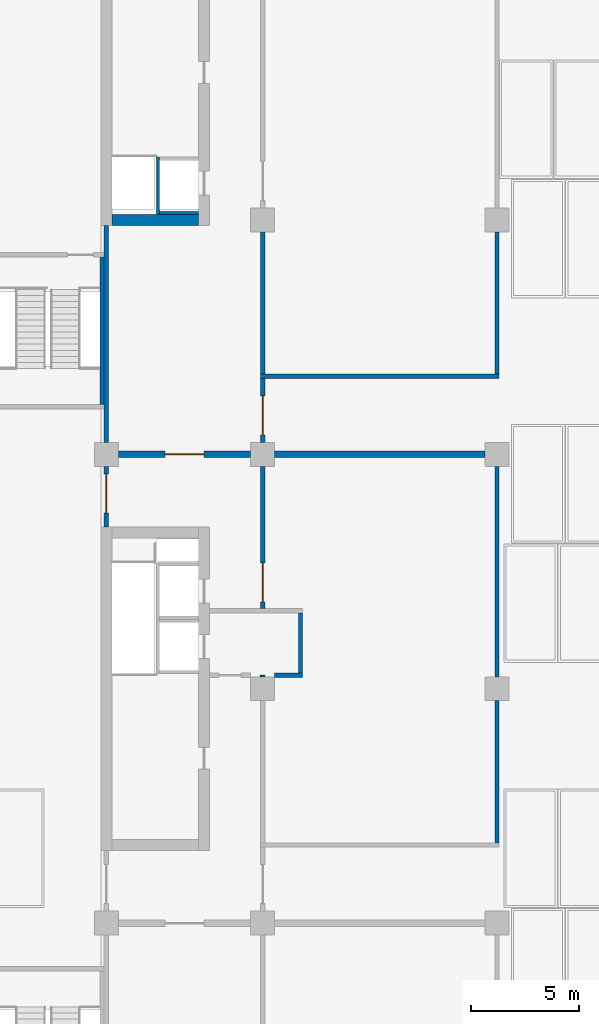
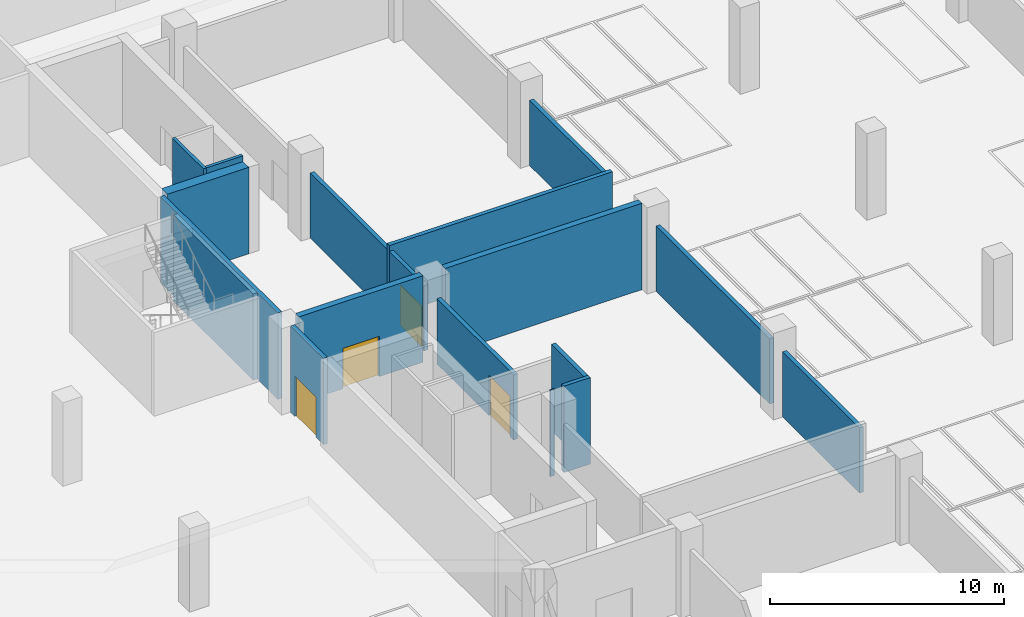
# One storey, part 4 of 18: 18 walls, 4 doors, 4 openings.
"""IFC4 building model written with IfcOpenShell, lengths in metres."""

import ifcopenshell
import ifcopenshell.guid

model = None  # the IFC model being written
_history = None  # IfcOwnerHistory: only IFC2X3 demands one
_inside = {}  # id of a spatial element -> (the spatial element, [elements in it])
_under = {}  # id of a project, library or spatial element -> (it, [spatial elements below it])
_declared = {}  # id of a project -> (the project, [libraries it declares])
_typed = {}  # id of a type object -> (the type object, [elements of that type])
_made_of = {}  # id of a material, layer set ... -> (it, [elements and type objects made of it])


def new_model(schema):
    """Start an empty IFC model of exactly this schema.

    Asked for "IFC4X3", IfcOpenShell would pick the latest addendum, in which some entities
    have other attributes; the version numbers below select the first issue.
    IFC2X3 requires an IfcOwnerHistory on every rooted entity: one is made here for all.
    """
    global model, _history
    if schema == "IFC4X3":
        model = ifcopenshell.file(schema_version=(4, 3, 0, 0))
    else:
        model = ifcopenshell.file(schema=schema)
    _inside.clear()
    _under.clear()
    _declared.clear()
    _typed.clear()
    _made_of.clear()
    _history = None
    if model.schema == "IFC2X3":
        org = make("IfcOrganization", Name="unknown")
        user = make(
            "IfcPersonAndOrganization",
            ThePerson=make("IfcPerson", FamilyName="unknown"),
            TheOrganization=org,
        )
        app = make(
            "IfcApplication",
            ApplicationDeveloper=org,
            Version="unknown",
            ApplicationFullName="unknown",
            ApplicationIdentifier="unknown",
        )
        _history = make(
            "IfcOwnerHistory",
            OwningUser=user,
            OwningApplication=app,
            ChangeAction="ADDED",
            CreationDate=0,
        )
    return model


def make(cls, **values):
    """One entity of the class cls with the attributes given. An attribute that is None is left unset."""
    return model.create_entity(
        cls, **{name: value for name, value in values.items() if value is not None}
    )


def rooted(cls, **values):
    """An entity with a GlobalId (a new one), such as an element, a storey or a relation."""
    return make(cls, GlobalId=ifcopenshell.guid.new(), OwnerHistory=_history, **values)


def si_unit(unit_type, name, prefix=None):
    """IfcSIUnit, for example si_unit("LENGTHUNIT", "METRE", prefix="MILLI")."""
    return make("IfcSIUnit", UnitType=unit_type, Prefix=prefix, Name=name)


def assignment(units):
    """IfcUnitAssignment: the units of a project."""
    return None if units is None else make("IfcUnitAssignment", Units=units)


def point(xyz):
    """IfcCartesianPoint."""
    return None if xyz is None else make("IfcCartesianPoint", Coordinates=xyz)


def direction(xyz):
    """IfcDirection."""
    return None if xyz is None else make("IfcDirection", DirectionRatios=xyz)


def frame(location, z_axis=None, x_axis=None):
    """IfcAxis2Placement3D, a coordinate frame: its origin and axes. An axis left out is left unset."""
    return make(
        "IfcAxis2Placement3D",
        Location=point(location),
        Axis=direction(z_axis),
        RefDirection=direction(x_axis),
    )


def frame_2d(location, x_axis=None):
    """IfcAxis2Placement2D, a coordinate frame in the plane: its origin and x axis."""
    return make(
        "IfcAxis2Placement2D", Location=point(location), RefDirection=direction(x_axis)
    )


def origin():
    """The frame at (0, 0, 0) with its axes left unset."""
    return frame((0.0, 0.0, 0.0))


def place(relative_to, where):
    """IfcLocalPlacement: puts the frame where relative to a parent placement (None: the world)."""
    return make(
        "IfcLocalPlacement", PlacementRelTo=relative_to, RelativePlacement=where
    )


def context(
    kind, dimensions, precision=None, world=None, true_north=None, identifier=None
):
    """IfcGeometricRepresentationContext, for example the 3D "Model" context."""
    return make(
        "IfcGeometricRepresentationContext",
        ContextIdentifier=identifier,
        ContextType=kind,
        CoordinateSpaceDimension=dimensions,
        Precision=precision,
        WorldCoordinateSystem=world,
        TrueNorth=true_north,
    )


def subcontext(parent, identifier, kind, view, scale=None):
    """IfcGeometricRepresentationSubContext, for example "Body" below "Model"."""
    return make(
        "IfcGeometricRepresentationSubContext",
        ContextIdentifier=identifier,
        ContextType=kind,
        ParentContext=parent,
        TargetScale=scale,
        TargetView=view,
    )


def project(units=None, contexts=None):
    """IfcProject with its units and contexts."""
    return rooted(
        "IfcProject",
        Name="project",
        RepresentationContexts=contexts,
        UnitsInContext=assignment(units),
    )


def spatial(cls, under=None, at=None, **own):
    """A site, building, storey or space (cls), placed at a placement, below another one or the project."""
    s = rooted(cls, ObjectPlacement=at, **own)
    if under is not None:
        _under.setdefault(under.id(), (under, []))[1].append(s)
    return s


def profile(cls, at=None, kind="AREA", **sizes):
    """A parametric profile (cls). Its sizes go by their IFC names, for example OverallWidth=200.0."""
    return make(cls, ProfileType=kind, Position=at, **sizes)


def rectangle(**sizes):
    """IfcRectangleProfileDef."""
    return profile("IfcRectangleProfileDef", **sizes)


def extrude(swept, where, along, depth):
    """IfcExtrudedAreaSolid: the profile swept, set in the frame where, extruded along a direction by depth."""
    return make(
        "IfcExtrudedAreaSolid",
        SweptArea=swept,
        Position=where,
        ExtrudedDirection=direction(along),
        Depth=depth,
    )


def shape(context_of_items, identifier, shape_type, items):
    """IfcShapeRepresentation: the items that make up one representation, for example the "Body"."""
    return make(
        "IfcShapeRepresentation",
        ContextOfItems=context_of_items,
        RepresentationIdentifier=identifier,
        RepresentationType=shape_type,
        Items=items,
    )


def material(Name=None, Category=None):
    """IfcMaterial."""
    return make("IfcMaterial", Name=Name, Category=Category)


def layer(
    of_material, thickness, ventilated=None, Name=None, Category=None, Priority=None
):
    """IfcMaterialLayer: one layer of a wall or slab, of a material (None: an air gap)."""
    return make(
        "IfcMaterialLayer",
        Material=of_material,
        LayerThickness=thickness,
        IsVentilated=ventilated,
        Name=Name,
        Category=Category,
        Priority=Priority,
    )


def layer_set(layers, Name=None):
    """IfcMaterialLayerSet."""
    return make("IfcMaterialLayerSet", MaterialLayers=layers, LayerSetName=Name)


def made_of(thing, what):
    """Note that an element or type object is made of a material, layer set ...; save() writes the relation."""
    if what is not None:
        _made_of.setdefault(what.id(), (what, []))[1].append(thing)
    return thing


def type_object(cls, material=None, **own):
    """A type object (cls), such as IfcWallType, which elements share."""
    return made_of(rooted(cls, **own), material)


def element(
    cls,
    number,
    at=None,
    inside=None,
    cuts=None,
    type_object=None,
    material=None,
    context=None,
    identifier="Body",
    shape_type=None,
    held_by="IfcProductDefinitionShape",
    body=None,
    shapes=None,
    **own,
):
    """One element of the class cls, such as IfcWall. Its Tag is "e" and its number.

    at: its placement. inside: the storey or other place that contains it. cuts: it is an
    opening in that element (IfcRelVoidsElement). A single representation is given by context,
    identifier, shape_type and body (its items); several are given by shapes. held_by: the class
    of the entity that holds the representations. save() writes the other relations.
    """
    e = rooted(cls, Tag="e%d" % number, ObjectPlacement=at, **own)
    if body is not None:
        shapes = [shape(context, identifier, shape_type, body)]
    if shapes is not None:
        e.Representation = make(held_by, Representations=shapes)
    if inside is not None:
        _inside.setdefault(inside.id(), (inside, []))[1].append(e)
    if cuts is not None:
        rooted(
            "IfcRelVoidsElement", RelatingBuildingElement=cuts, RelatedOpeningElement=e
        )
    if type_object is not None:
        _typed.setdefault(type_object.id(), (type_object, []))[1].append(e)
    return made_of(e, material)


def fill(opening, filler):
    """IfcRelFillsElement: the door or window that sits in an opening."""
    return rooted(
        "IfcRelFillsElement",
        RelatingOpeningElement=opening,
        RelatedBuildingElement=filler,
    )


def aggregate(whole, parts):
    """IfcRelAggregates: a whole, such as a stair, and the parts it consists of."""
    return rooted("IfcRelAggregates", RelatingObject=whole, RelatedObjects=parts)


def save(model, path):
    """Write the relations noted so far, then the file.

    IfcRelAggregates (storeys below a building ...), IfcRelContainedInSpatialStructure (elements
    in a storey), IfcRelDefinesByType, IfcRelAssociatesMaterial and IfcRelDeclares: one each for
    every whole, place, type object, material and project.
    """
    for whole, parts in _under.values():
        aggregate(whole, parts)
    for where, things in _inside.values():
        rooted(
            "IfcRelContainedInSpatialStructure",
            RelatedElements=things,
            RelatingStructure=where,
        )
    for kind, things in _typed.values():
        rooted("IfcRelDefinesByType", RelatedObjects=things, RelatingType=kind)
    for what, things in _made_of.values():
        rooted("IfcRelAssociatesMaterial", RelatedObjects=things, RelatingMaterial=what)
    for by, libraries in _declared.values():
        rooted("IfcRelDeclares", RelatingContext=by, RelatedDefinitions=libraries)
    model.write(path)


model = new_model("IFC4")

# Units and contexts
model_context = context("Model", 3, precision=1e-05, world=origin(), true_north=direction((0.0, 1.0)))
body_context = subcontext(model_context, "Body", "Model", "MODEL_VIEW")
ifc_project = project(units=[si_unit("LENGTHUNIT", "METRE"), si_unit("AREAUNIT", "SQUARE_METRE"), si_unit("VOLUMEUNIT", "CUBIC_METRE"), si_unit("PLANEANGLEUNIT", "RADIAN"), si_unit("MASSUNIT", "GRAM", prefix="KILO")], contexts=[model_context])

# Site, building, storey
site_placement = place(None, origin())
site = spatial("IfcSite", under=ifc_project, at=site_placement, CompositionType="ELEMENT")
building_placement = place(site_placement, origin())
building = spatial("IfcBuilding", under=site, at=building_placement, Name="Basin Gate Institute", CompositionType="ELEMENT")
storey_placement = place(building_placement, frame((0.0, 0.0, -4.800048828125)))
storey = spatial("IfcBuildingStorey", under=building, at=storey_placement, Name="B1", CompositionType="ELEMENT", Elevation=-4.800048828125)

# Wall, opening, door
ifc_material_1 = material(Name="Concrete 50 MPa", Category="concrete")
ifc_layer_1 = layer(ifc_material_1, 0.199951171875)
ifc_layer_set_1 = layer_set([ifc_layer_1], Name="Concrete 50 MPa")
wall_type_1 = type_object("IfcWallType", Name="Basement bearing wall W66 REI 180", PredefinedType="SOLIDWALL", material=ifc_layer_set_1)
wall_1_placement = place(storey_placement, frame((61.199951171875, 74.949951171875, 0.0), z_axis=(0.0, 0.0, 1.0), x_axis=(0.0, 1.0, 0.0)))
wall_1 = element("IfcWall", 1, at=wall_1_placement, inside=storey, type_object=wall_type_1, material=ifc_layer_set_1, Name="Service Corridor B1 West bearing wall", PredefinedType="SOLIDWALL", context=body_context, shape_type="SweptSolid", body=[
    extrude(rectangle(XDim=2.800048828125, YDim=0.199951171875, at=frame_2d((1.39990234375, 0.0))), origin(), (0.0, 0.0, 1.0), 4.5),
])
opening_1_placement = place(wall_1_placement, frame((0.64990234375, 0.0, 0.0)))
opening_1 = element("IfcOpeningElement", 2, at=opening_1_placement, cuts=wall_1, Name="Opening DB111", PredefinedType="OPENING", context=body_context, shape_type="SweptSolid", body=[
    extrude(rectangle(XDim=1.800048828125, YDim=2.10009765625, at=frame_2d((0.89990234375, 1.050048828125))), frame((0.0, 0.10986328125, 0.0), z_axis=(0.0, -1.0, 0.0), x_axis=(1.0, 0.0, 0.0)), (0.0, 0.0, 1.0), 0.219970703125),
])
ifc_material_2 = material(Name="Steel door set", Category="steel")
door_type_1 = type_object("IfcDoorType", Name="Double fire door FD120 1800x2100", OperationType="DOUBLE_DOOR_SINGLE_SWING", PredefinedType="DOOR", material=ifc_material_2)
door_1_placement = place(opening_1_placement, origin())
door_1 = element("IfcDoor", 3, at=door_1_placement, inside=storey, type_object=door_type_1, material=ifc_material_2, Name="Door DB111 Service Corridor B1 West", OperationType="DOUBLE_DOOR_SINGLE_SWING", OverallHeight=2.10009765625, OverallWidth=1.800048828125, PredefinedType="DOOR", context=body_context, shape_type="SweptSolid", body=[
    extrude(rectangle(XDim=1.800048828125, YDim=2.10009765625, at=frame_2d((0.89990234375, 1.050048828125))), frame((0.0, 0.02490234375, 0.0), z_axis=(0.0, -1.0, 0.0), x_axis=(1.0, 0.0, 0.0)), (0.0, 0.0, 1.0), 0.050048828125),
])
fill(opening_1, door_1)

# Walls
wall_2_placement = place(storey_placement, frame((61.199951171875, 78.85009765625, 0.0), z_axis=(0.0, 0.0, 1.0), x_axis=(0.0, 1.0, 0.0)))
element("IfcWall", 4, at=wall_2_placement, inside=storey, type_object=wall_type_1, material=ifc_layer_set_1, Name="Service Corridor B1 West bearing wall", PredefinedType="SOLIDWALL", context=body_context, shape_type="SweptSolid", body=[
    extrude(rectangle(XDim=10.0, YDim=0.199951171875, at=frame_2d((5.0, 0.0))), origin(), (0.0, 0.0, 1.0), 4.5),
])
ifc_material_3 = material(Name="Blockwork", Category="masonry")
ifc_layer_2 = layer(ifc_material_3, 0.199951171875)
ifc_layer_set_2 = layer_set([ifc_layer_2], Name="Basement fire partition EI 120")
wall_type_2 = type_object("IfcWallType", Name="Basement fire partition EI 120", PredefinedType="PARTITIONING", material=ifc_layer_set_2)
wall_3_placement = place(storey_placement, frame((68.300048828125, 81.89990234375, 0.0), z_axis=(0.0, 0.0, 1.0), x_axis=(1.0, 0.0, 0.0)))
element("IfcWall", 5, at=wall_3_placement, inside=storey, type_object=wall_type_2, material=ifc_layer_set_2, Name="Archive B1 fire-resisting wall", PredefinedType="PARTITIONING", context=body_context, shape_type="SweptSolid", body=[
    extrude(rectangle(XDim=11.0, YDim=0.199951171875, at=frame_2d((5.5, 0.0))), origin(), (0.0, 0.0, 1.0), 3.699951171875),
])
wall_4_placement = place(storey_placement, frame((68.39990234375, 68.050048828125, 0.0), z_axis=(0.0, 0.0, 1.0), x_axis=(0.0, 1.0, 0.0)))
element("IfcWall", 6, at=wall_4_placement, inside=storey, type_object=wall_type_2, material=ifc_layer_set_2, Name="Biobank fire-resisting wall", PredefinedType="PARTITIONING", context=body_context, shape_type="SweptSolid", body=[
    extrude(rectangle(XDim=0.074951171875, YDim=0.199951171875, at=frame_2d((0.03759765625, 0.0))), origin(), (0.0, 0.0, 1.0), 4.5),
])

# Wall, opening, door
wall_5_placement = place(storey_placement, frame((68.39990234375, 71.199951171875, 0.0), z_axis=(0.0, 0.0, 1.0), x_axis=(0.0, 1.0, 0.0)))
wall_5 = element("IfcWall", 7, at=wall_5_placement, inside=storey, type_object=wall_type_2, material=ifc_layer_set_2, Name="Biobank fire-resisting wall", PredefinedType="PARTITIONING", context=body_context, shape_type="SweptSolid", body=[
    extrude(rectangle(XDim=6.550048828125, YDim=0.199951171875, at=frame_2d((3.27490234375, 0.0))), origin(), (0.0, 0.0, 1.0), 3.400146484375),
])
opening_2_placement = place(wall_5_placement, frame((0.300048828125, 0.0, 0.0)))
opening_2 = element("IfcOpeningElement", 8, at=opening_2_placement, cuts=wall_5, Name="Opening DB107", PredefinedType="OPENING", context=body_context, shape_type="SweptSolid", body=[
    extrude(rectangle(XDim=1.800048828125, YDim=2.10009765625, at=frame_2d((0.89990234375, 1.050048828125))), frame((0.0, 0.10986328125, 0.0), z_axis=(0.0, -1.0, 0.0), x_axis=(1.0, 0.0, 0.0)), (0.0, 0.0, 1.0), 0.219970703125),
])
door_2_placement = place(opening_2_placement, frame((1.800048828125, 0.0, 0.0), z_axis=(0.0, 0.0, 1.0), x_axis=(-1.0, 0.0, 0.0)))
door_2 = element("IfcDoor", 9, at=door_2_placement, inside=storey, type_object=door_type_1, material=ifc_material_2, Name="Door DB107 Biobank", OperationType="DOUBLE_DOOR_SINGLE_SWING", OverallHeight=2.10009765625, OverallWidth=1.800048828125, PredefinedType="DOOR", context=body_context, shape_type="SweptSolid", body=[
    extrude(rectangle(XDim=1.800048828125, YDim=2.10009765625, at=frame_2d((0.89990234375, 1.050048828125))), frame((0.0, 0.02490234375, 0.0), z_axis=(0.0, -1.0, 0.0), x_axis=(1.0, 0.0, 0.0)), (0.0, 0.0, 1.0), 0.050048828125),
])
fill(opening_2, door_2)

# Walls
for number, where, z_axis, x_axis, name in (
    (10, (68.39990234375, 82.0, 0.0), (0.0, 0.0, 1.0), (0.0, 1.0, 0.0), "Archive B1 fire-resisting wall"),
    (11, (79.199951171875, 60.39990234375, 0.0), (0.0, 0.0, 1.0), (0.0, 1.0, 0.0), "Biobank fire-resisting wall"),
):
    element("IfcWall", number, at=place(storey_placement, frame(where, z_axis=z_axis, x_axis=x_axis)), inside=storey, type_object=wall_type_2, material=ifc_layer_set_2, Name=name, PredefinedType="PARTITIONING", context=body_context, shape_type="SweptSolid", body=[
        extrude(rectangle(XDim=6.550048828125, YDim=0.199951171875, at=frame_2d((3.27490234375, 0.0))), origin(), (0.0, 0.0, 1.0), 3.400146484375),
    ])
wall_6_placement = place(storey_placement, frame((79.199951171875, 68.050048828125, 0.0), z_axis=(0.0, 0.0, 1.0), x_axis=(0.0, 1.0, 0.0)))
element("IfcWall", 12, at=wall_6_placement, inside=storey, type_object=wall_type_2, material=ifc_layer_set_2, Name="Biobank fire-resisting wall", PredefinedType="PARTITIONING", context=body_context, shape_type="SweptSolid", body=[
    extrude(rectangle(XDim=9.699951171875, YDim=0.199951171875, at=frame_2d((4.85009765625, 0.0))), origin(), (0.0, 0.0, 1.0), 3.400146484375),
])
wall_7_placement = place(storey_placement, frame((79.199951171875, 82.0, 0.0), z_axis=(0.0, 0.0, 1.0), x_axis=(0.0, 1.0, 0.0)))
element("IfcWall", 13, at=wall_7_placement, inside=storey, type_object=wall_type_2, material=ifc_layer_set_2, Name="Archive B1 fire-resisting wall", PredefinedType="PARTITIONING", context=body_context, shape_type="SweptSolid", body=[
    extrude(rectangle(XDim=6.550048828125, YDim=0.199951171875, at=frame_2d((3.27490234375, 0.0))), origin(), (0.0, 0.0, 1.0), 3.400146484375),
])
ifc_material_4 = material(Name="Blockwork", Category="masonry")
ifc_layer_3 = layer(ifc_material_4, 0.199951171875)
ifc_layer_set_3 = layer_set([ifc_layer_3], Name="Basement fire partition EI 60")
wall_type_3 = type_object("IfcWallType", Name="Basement fire partition EI 60", PredefinedType="PARTITIONING", material=ifc_layer_set_3)
wall_8_placement = place(storey_placement, frame((68.949951171875, 68.125, 0.0), z_axis=(0.0, 0.0, 1.0), x_axis=(1.0, 0.0, 0.0)))
element("IfcWall", 14, at=wall_8_placement, inside=storey, type_object=wall_type_3, material=ifc_layer_set_3, Name="Emergency Lift Lobby B1 LF1 fire-resisting wall", PredefinedType="PARTITIONING", context=body_context, shape_type="SweptSolid", body=[
    extrude(rectangle(XDim=1.300048828125, YDim=0.199951171875, at=frame_2d((0.64990234375, 0.0))), origin(), (0.0, 0.0, 1.0), 4.5),
])

# Wall, opening, door
wall_9_placement = place(storey_placement, frame((68.39990234375, 78.85009765625, 0.0), z_axis=(0.0, 0.0, 1.0), x_axis=(0.0, 1.0, 0.0)))
wall_9 = element("IfcWall", 15, at=wall_9_placement, inside=storey, type_object=wall_type_3, material=ifc_layer_set_3, Name="Service Corridor B1 West fire-resisting wall", PredefinedType="PARTITIONING", context=body_context, shape_type="SweptSolid", body=[
    extrude(rectangle(XDim=2.949951171875, YDim=0.199951171875, at=frame_2d((1.47509765625, 0.0))), origin(), (0.0, 0.0, 1.0), 3.400146484375),
])
opening_3_placement = place(wall_9_placement, frame((0.35009765625, 0.0, 0.0)))
opening_3 = element("IfcOpeningElement", 16, at=opening_3_placement, cuts=wall_9, Name="Opening DB115", PredefinedType="OPENING", context=body_context, shape_type="SweptSolid", body=[
    extrude(rectangle(XDim=1.800048828125, YDim=2.10009765625, at=frame_2d((0.89990234375, 1.050048828125))), frame((0.0, 0.10986328125, 0.0), z_axis=(0.0, -1.0, 0.0), x_axis=(1.0, 0.0, 0.0)), (0.0, 0.0, 1.0), 0.219970703125),
])
ifc_material_5 = material(Name="Steel door set", Category="steel")
door_type_2 = type_object("IfcDoorType", Name="Double fire door FD60 1800x2100", OperationType="DOUBLE_DOOR_SINGLE_SWING", PredefinedType="DOOR", material=ifc_material_5)
door_3_placement = place(opening_3_placement, origin())
door_3 = element("IfcDoor", 17, at=door_3_placement, inside=storey, type_object=door_type_2, material=ifc_material_5, Name="Door DB115 Service Corridor B1 West", OperationType="DOUBLE_DOOR_SINGLE_SWING", OverallHeight=2.10009765625, OverallWidth=1.800048828125, PredefinedType="DOOR", context=body_context, shape_type="SweptSolid", body=[
    extrude(rectangle(XDim=1.800048828125, YDim=2.10009765625, at=frame_2d((0.89990234375, 1.050048828125))), frame((0.0, 0.02490234375, 0.0), z_axis=(0.0, -1.0, 0.0), x_axis=(1.0, 0.0, 0.0)), (0.0, 0.0, 1.0), 0.050048828125),
])
fill(opening_3, door_3)

# Walls
wall_10_placement = place(storey_placement, frame((70.14990234375, 68.22509765625, 0.0), z_axis=(0.0, 0.0, 1.0), x_axis=(0.0, 1.0, 0.0)))
element("IfcWall", 18, at=wall_10_placement, inside=storey, type_object=wall_type_3, material=ifc_layer_set_3, Name="Emergency Lift Lobby B1 LF1 fire-resisting wall", PredefinedType="PARTITIONING", context=body_context, shape_type="SweptSolid", body=[
    extrude(rectangle(XDim=2.77490234375, YDim=0.199951171875, at=frame_2d((1.387451171875, 0.0))), origin(), (0.0, 0.0, 1.0), 4.5),
])
ifc_material_6 = material(Name="Concrete 35 MPa", Category="concrete")
ifc_layer_4 = layer(ifc_material_6, 0.199951171875)
ifc_layer_set_4 = layer_set([ifc_layer_4], Name="Concrete 35 MPa")
wall_type_4 = type_object("IfcWallType", Name="Basement stair enclosure wall W67 REI 120", PredefinedType="SOLIDWALL", material=ifc_layer_set_4)
wall_11_placement = place(storey_placement, frame((61.0, 80.60009765625, 0.0), z_axis=(0.0, 0.0, 1.0), x_axis=(0.0, 1.0, 0.0)))
element("IfcWall", 19, at=wall_11_placement, inside=storey, type_object=wall_type_4, material=ifc_layer_set_4, Name="Stair Enclosure BS2 B1 enclosure wall", PredefinedType="SOLIDWALL", context=body_context, shape_type="SweptSolid", body=[
    extrude(rectangle(XDim=6.7998046875, YDim=0.199951171875, at=frame_2d((3.39990234375, 0.0))), origin(), (0.0, 0.0, 1.0), 4.5),
])
ifc_material_7 = material(Name="Concrete 40 MPa", Category="concrete")
ifc_layer_5 = layer(ifc_material_7, 0.14990234375)
ifc_layer_set_5 = layer_set([ifc_layer_5], Name="Concrete 40 MPa")
wall_type_5 = type_object("IfcWallType", Name="Wall LS1 lift shaft enclosure R180", PredefinedType="SOLIDWALL", material=ifc_layer_set_5)
wall_12_placement = place(storey_placement, frame((63.574951171875, 92.0, 0.0), z_axis=(0.0, 0.0, 1.0), x_axis=(0.0, -1.0, 0.0)))
element("IfcWall", 20, at=wall_12_placement, inside=storey, type_object=wall_type_5, material=ifc_layer_set_5, Name="Lift shaft enclosure LP3 B1 UL", PredefinedType="SOLIDWALL", context=body_context, shape_type="SweptSolid", body=[
    extrude(rectangle(XDim=2.64990234375, YDim=0.14990234375, at=frame_2d((1.324951171875, 0.0))), origin(), (0.0, 0.0, 1.0), 4.800048828125),
])
wall_13_placement = place(storey_placement, frame((63.64990234375, 89.425048828125, 0.0), z_axis=(0.0, 0.0, 1.0), x_axis=(1.0, 0.0, 0.0)))
element("IfcWall", 21, at=wall_13_placement, inside=storey, type_object=wall_type_5, material=ifc_layer_set_5, Name="Lift shaft enclosure LP3 B1 RH", PredefinedType="SOLIDWALL", context=body_context, shape_type="SweptSolid", body=[
    extrude(rectangle(XDim=1.800048828125, YDim=0.14990234375, at=frame_2d((0.89990234375, 0.0))), origin(), (0.0, 0.0, 1.0), 4.800048828125),
])
ifc_material_8 = material(Name="Concrete 60 MPa", Category="concrete")
ifc_layer_6 = layer(ifc_material_8, 0.5)
ifc_layer_set_6 = layer_set([ifc_layer_6], Name="Concrete 60 MPa")
wall_type_6 = type_object("IfcWallType", Name="Wall SW1 R180", PredefinedType="SHEAR", material=ifc_layer_set_6)
wall_14_placement = place(storey_placement, frame((61.449951171875, 89.10009765625, 0.0), z_axis=(0.0, 0.0, 1.0), x_axis=(1.0, 0.0, 0.0)))
element("IfcWall", 22, at=wall_14_placement, inside=storey, type_object=wall_type_6, material=ifc_layer_set_6, Name="WALL/B1/WN/S", PredefinedType="SHEAR", context=body_context, shape_type="SweptSolid", body=[
    extrude(rectangle(XDim=4.0, YDim=0.5, at=frame_2d((2.0, 0.0))), origin(), (0.0, 0.0, 1.0), 4.5),
])

# Wall, opening, door
ifc_material_9 = material(Name="Concrete 50 MPa", Category="concrete")
ifc_layer_7 = layer(ifc_material_9, 0.300048828125)
ifc_layer_set_7 = layer_set([ifc_layer_7], Name="Concrete 50 MPa")
wall_type_7 = type_object("IfcWallType", Name="Wall XW1 R180", PredefinedType="SHEAR", material=ifc_layer_set_7)
wall_15_placement = place(storey_placement, frame((61.75, 78.300048828125, 0.0), z_axis=(0.0, 0.0, 1.0), x_axis=(1.0, 0.0, 0.0)))
wall_15 = element("IfcWall", 23, at=wall_15_placement, inside=storey, type_object=wall_type_7, material=ifc_layer_set_7, Name="WALL/B1/WXE/1", PredefinedType="SHEAR", context=body_context, shape_type="SweptSolid", body=[
    extrude(rectangle(XDim=6.10009765625, YDim=0.300048828125, at=frame_2d((3.050048828125, 0.0))), origin(), (0.0, 0.0, 1.0), 4.5),
])
opening_4_placement = place(wall_15_placement, frame((2.14990234375, 0.0, 0.0)))
opening_4 = element("IfcOpeningElement", 24, at=opening_4_placement, cuts=wall_15, Name="Opening DB138", PredefinedType="OPENING", context=body_context, shape_type="SweptSolid", body=[
    extrude(rectangle(XDim=1.800048828125, YDim=2.10009765625, at=frame_2d((0.89990234375, 1.050048828125))), frame((0.0, 0.16015625, 0.0), z_axis=(0.0, -1.0, 0.0), x_axis=(1.0, 0.0, 0.0)), (0.0, 0.0, 1.0), 0.320068359375),
])
door_4_placement = place(opening_4_placement, origin())
door_4 = element("IfcDoor", 25, at=door_4_placement, inside=storey, type_object=door_type_2, material=ifc_material_5, Name="Door DB138 Service Corridor B1 West compartment wall", OperationType="DOUBLE_DOOR_SINGLE_SWING", OverallHeight=2.10009765625, OverallWidth=1.800048828125, PredefinedType="DOOR", context=body_context, shape_type="SweptSolid", body=[
    extrude(rectangle(XDim=1.800048828125, YDim=2.10009765625, at=frame_2d((0.89990234375, 1.050048828125))), frame((0.0, 0.02490234375, 0.0), z_axis=(0.0, -1.0, 0.0), x_axis=(1.0, 0.0, 0.0)), (0.0, 0.0, 1.0), 0.050048828125),
])
fill(opening_4, door_4)

# Wall
wall_16_placement = place(storey_placement, frame((68.949951171875, 78.300048828125, 0.0), z_axis=(0.0, 0.0, 1.0), x_axis=(1.0, 0.0, 0.0)))
element("IfcWall", 26, at=wall_16_placement, inside=storey, type_object=wall_type_7, material=ifc_layer_set_7, Name="WALL/B1/WXE/2", PredefinedType="SHEAR", context=body_context, shape_type="SweptSolid", body=[
    extrude(rectangle(XDim=9.699951171875, YDim=0.300048828125, at=frame_2d((4.85009765625, 0.0))), origin(), (0.0, 0.0, 1.0), 4.5),
])

save(model, "model.ifc")
